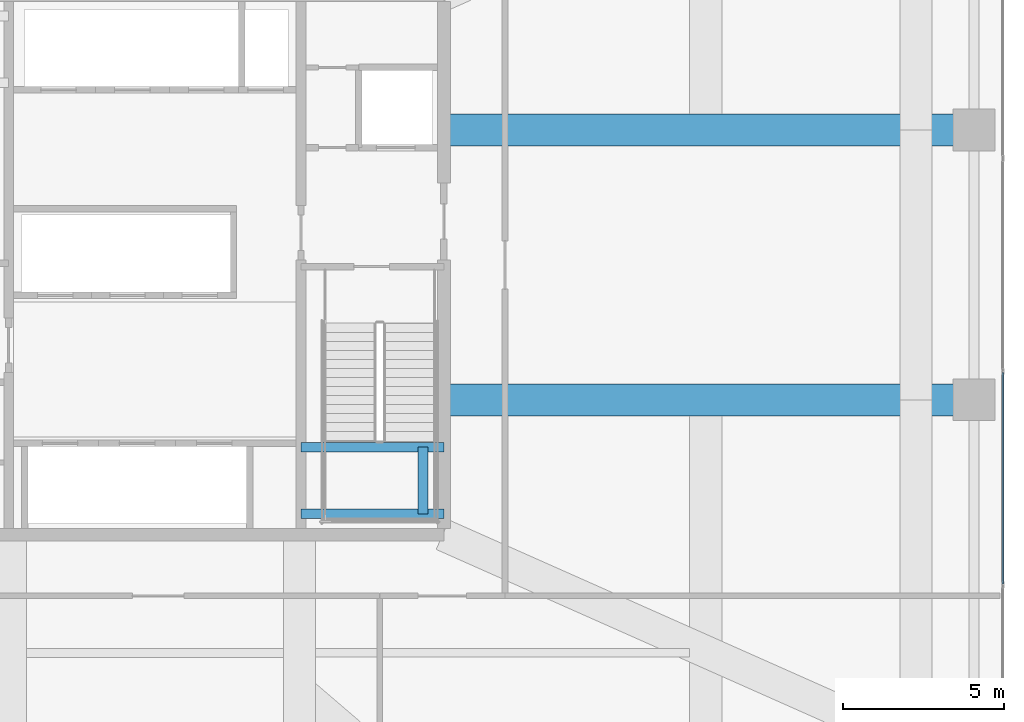
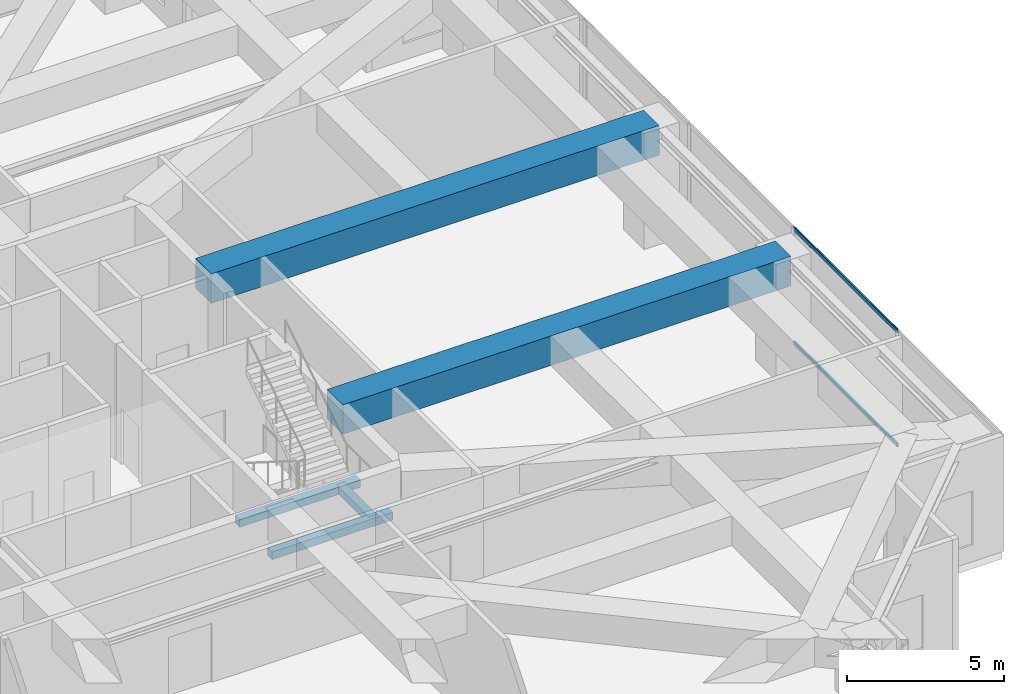
# One storey, part 16 of 35: 5 beams, 2 members, 1 element without a shape of its own.
"""IFC4 building model written with IfcOpenShell, lengths in metres."""

from ifc_helpers import new_model, si_unit, direction, frame, origin, origin_2d, place, context, subcontext, project, spatial, rectangle, hollow_rectangle, extrude, source, transform, mapped, material, layer, layer_set, material_profile, profile_set, type_object, element, aggregate, save


model = new_model("IFC4")

# Units and contexts
model_context = context("Model", 3, precision=1e-05, world=origin(), true_north=direction((0.0, 1.0)))
body_context = subcontext(model_context, "Body", "Model", "MODEL_VIEW")
ifc_project = project(units=[si_unit("LENGTHUNIT", "METRE"), si_unit("AREAUNIT", "SQUARE_METRE"), si_unit("VOLUMEUNIT", "CUBIC_METRE"), si_unit("PLANEANGLEUNIT", "RADIAN"), si_unit("MASSUNIT", "GRAM", prefix="KILO")], contexts=[model_context])

# Site, building, storey
site_placement = place(None, origin())
site = spatial("IfcSite", under=ifc_project, at=site_placement, CompositionType="ELEMENT")
building_placement = place(site_placement, origin())
building = spatial("IfcBuilding", under=site, at=building_placement, Name="Serunith Strait Residences", CompositionType="ELEMENT")
storey_placement = place(building_placement, frame((0.0, 0.0, 115.199951171875)))
storey = spatial("IfcBuildingStorey", under=building, at=storey_placement, Name="L28", CompositionType="ELEMENT", Elevation=115.199951171875)

# Beams
ifc_material_1 = material(Name="Concrete C80/95", Category="concrete")
ifc_material_profile_1 = material_profile(ifc_material_1, rectangle(XDim=1.0, YDim=1.14990234375, at=origin_2d()), Name="RC 1000x1150")
ifc_profile_set_1 = profile_set([ifc_material_profile_1], Name="Concrete C80/95")
beam_type_1 = type_object("IfcBeamType", Name="BM-XFER-1000x1150", PredefinedType="BEAM", material=ifc_profile_set_1)
shared_shape_1 = source(origin(), body_context, "Body", "SweptSolid", [
    extrude(rectangle(XDim=1.0, YDim=1.14990234375, at=origin_2d()), origin(), (0.0, 0.0, 1.0), 16.5),
])
for number, where, z_axis, x_axis, name in (
    (1, (41.39990234375, 21.0, 3.93505859375), (1.0, 0.0, 0.0), (0.0, 1.0, 0.0), "L28 Primary Floor Girder TC-E2"),
    (2, (41.39990234375, 29.39990234375, 3.93505859375), (1.0, 0.0, 0.0), (0.0, 1.0, 0.0), "L28 Primary Floor Girder TC-E3"),
):
    element("IfcBeam", number, at=place(storey_placement, frame(where, z_axis=z_axis, x_axis=x_axis)), inside=storey, type_object=beam_type_1, Name=name, PredefinedType="BEAM", context=body_context, shape_type="MappedRepresentation", body=[
        mapped(shared_shape_1, transform((0.0, 0.0, 0.0), scale=1.0)),
    ])
ifc_material_2 = material(Name="Concrete C60/75", Category="concrete")
ifc_material_profile_2 = material_profile(ifc_material_2, rectangle(XDim=0.300048828125, YDim=0.300048828125, at=origin_2d()), Name="RC 300x300")
ifc_profile_set_2 = profile_set([ifc_material_profile_2], Name="Concrete C60/75")
beam_type_2 = type_object("IfcBeamType", Name="BM-LAND-300x300", PredefinedType="BEAM", material=ifc_profile_set_2)
shared_shape_2 = source(origin(), body_context, "Body", "SweptSolid", [
    extrude(rectangle(XDim=0.300048828125, YDim=0.300048828125, at=origin_2d()), origin(), (0.0, 0.0, 1.0), 4.449951171875),
])
for number, where, z_axis, x_axis, name in (
    (3, (36.949951171875, 17.449951171875, 2.125), (1.0, 0.0, 0.0), (0.0, 1.0, 0.0), "L28 ST-2 Landing Support Beam 1"),
    (4, (36.949951171875, 19.530029296875, 2.125), (1.0, 0.0, 0.0), (0.0, 1.0, 0.0), "L28 ST-2 Landing Support Beam 2"),
):
    element("IfcBeam", number, at=place(storey_placement, frame(where, z_axis=z_axis, x_axis=x_axis)), inside=storey, type_object=beam_type_2, Name=name, PredefinedType="BEAM", context=body_context, shape_type="MappedRepresentation", body=[
        mapped(shared_shape_2, transform((0.0, 0.0, 0.0), scale=1.0)),
    ])
shared_shape_3 = source(origin(), body_context, "Body", "SweptSolid", [
    extrude(rectangle(XDim=0.300048828125, YDim=0.300048828125, at=origin_2d()), origin(), (0.0, 0.0, 1.0), 2.080078125),
])
beam_placement = place(storey_placement, frame((40.75, 17.449951171875, 2.125), z_axis=(0.0, 1.0, 0.0), x_axis=(-1.0, 0.0, 0.0)))
element("IfcBeam", 5, at=beam_placement, inside=storey, type_object=beam_type_2, Name="L28 ST-2 Landing Transverse Tie Beam", PredefinedType="BEAM", context=body_context, shape_type="MappedRepresentation", body=[
    mapped(shared_shape_3, transform((0.0, 0.0, 0.0), scale=1.0)),
])

# Curtain wall, members
ifc_material_3 = material(Name="Pale-Champagne Anodised Aluminium", Category="aluminium")
ifc_layer = layer(ifc_material_3, 0.199951171875, Name="Pale-Champagne Anodised Aluminium")
ifc_layer_set = layer_set([ifc_layer], Name="Pale-Champagne Anodised Aluminium")
curtain_wall_type = type_object("IfcCurtainWallType", Name="CW-SYS1", PredefinedType="NOTDEFINED", material=ifc_layer_set)
curtain_wall_placement = place(storey_placement, origin())
curtain_wall = element("IfcCurtainWall", 6, at=curtain_wall_placement, inside=storey, type_object=curtain_wall_type, Name="L28 E Unitised Fritted Curtain Wall", PredefinedType="NOTDEFINED")
ifc_material_profile_3 = material_profile(ifc_material_3, hollow_rectangle(XDim=0.06005859375, YDim=0.159912109375, WallThickness=0.00341796875, InnerFilletRadius=0.00537109375, OuterFilletRadius=0.0087890625, at=origin_2d()), Name="ALU 160x60x3.5")
ifc_profile_set_3 = profile_set([ifc_material_profile_3], Name="Pale-Champagne Anodised Aluminium")
member_type = type_object("IfcMemberType", Name="CW-SYS1-TRAN", PredefinedType="USERDEFINED", material=ifc_profile_set_3)
shared_shape_4 = source(origin(), body_context, "Body", "SweptSolid", [
    extrude(hollow_rectangle(XDim=0.06005859375, YDim=0.159912109375, WallThickness=0.00341796875, InnerFilletRadius=0.00537109375, OuterFilletRadius=0.0087890625, at=origin_2d()), origin(), (0.0, 0.0, 1.0), 6.570068359375),
])
member_1_placement = place(storey_placement, frame((58.800048828125, 15.27490234375, 0.030029296875), z_axis=(0.0, 1.0, 0.0), x_axis=(-1.0, 0.0, 0.0)))
member_1 = element("IfcMember", 7, at=member_1_placement, type_object=member_type, Name="CW-1 transom 2.1", ObjectType="TRANSOM", PredefinedType="USERDEFINED", context=body_context, shape_type="MappedRepresentation", body=[
    mapped(shared_shape_4, transform((0.0, 0.0, 0.0), scale=1.0)),
])
member_2_placement = place(storey_placement, frame((58.800048828125, 15.27490234375, 4.465087890625), z_axis=(0.0, 1.0, 0.0), x_axis=(-1.0, 0.0, 0.0)))
member_2 = element("IfcMember", 8, at=member_2_placement, type_object=member_type, Name="CW-1 transom 2.2", ObjectType="TRANSOM", PredefinedType="USERDEFINED", context=body_context, shape_type="MappedRepresentation", body=[
    mapped(shared_shape_4, transform((0.0, 0.0, 0.0), scale=1.0)),
])
aggregate(curtain_wall, [member_1, member_2])

save(model, "model.ifc")
